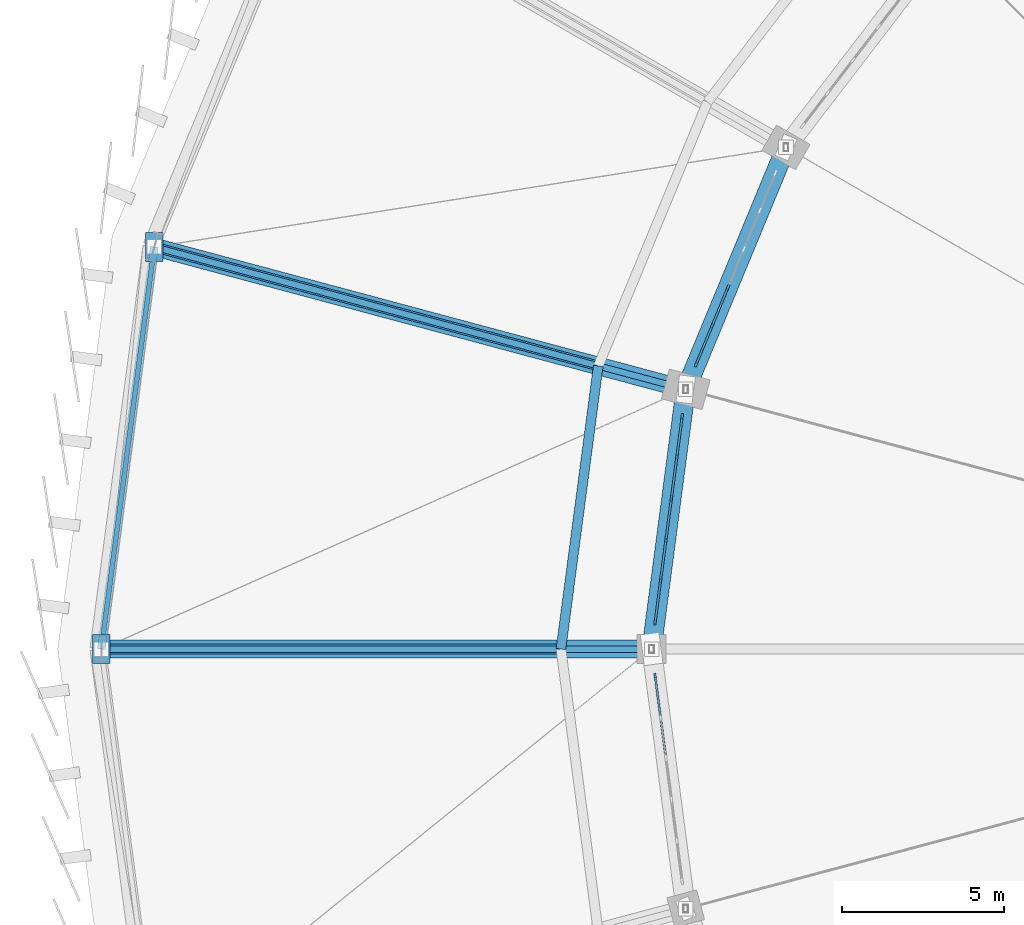
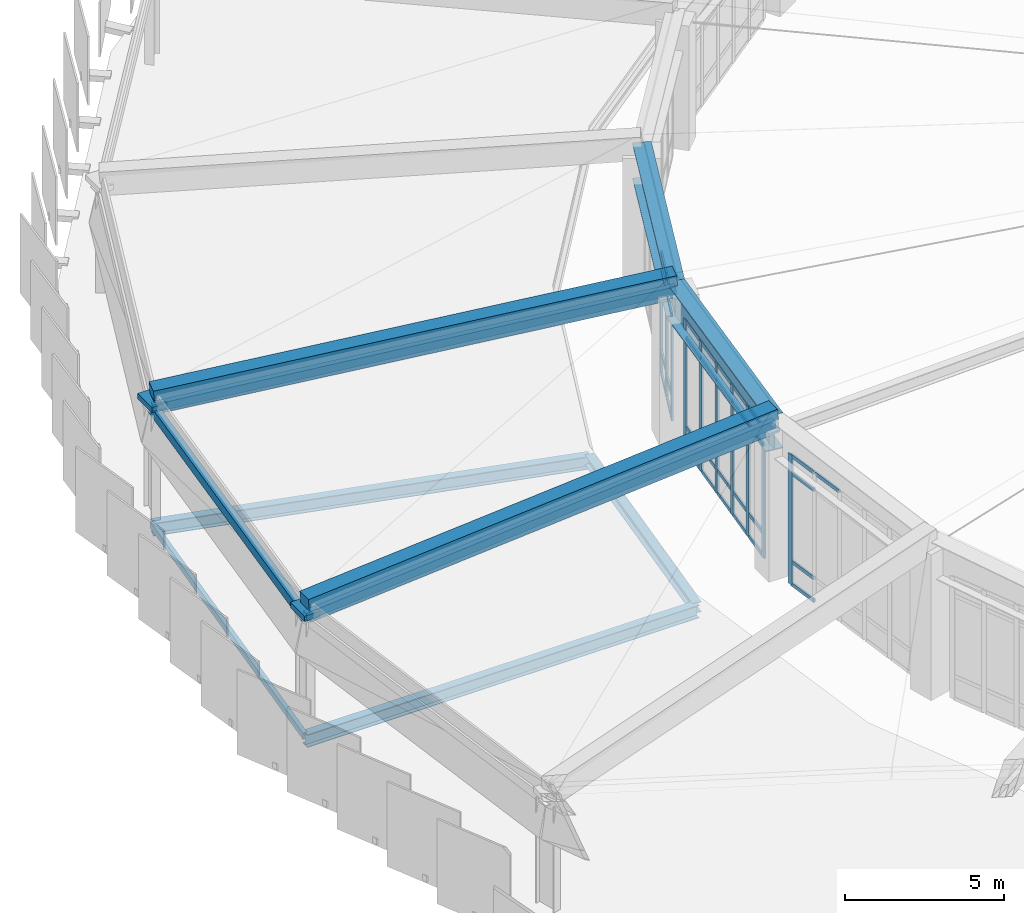
# One storey, part 14 of 68: 46 members, 10 beams, 3 elements without a shape of their own.
"""IFC4 building model written with IfcOpenShell, lengths in metres."""

from ifc_helpers import new_model, si_unit, direction, frame, origin, origin_2d, place, context, subcontext, project, spatial, rectangle, hollow_rectangle, i_section, extrude, material, layer, layer_set, material_profile, profile_set, type_object, element, aggregate, save


model = new_model("IFC4")

# Units and contexts
model_context = context("Model", 3, precision=1e-05, world=origin(), true_north=direction((0.0, 1.0)))
body_context = subcontext(model_context, "Body", "Model", "MODEL_VIEW")
ifc_project = project(units=[si_unit("LENGTHUNIT", "METRE"), si_unit("AREAUNIT", "SQUARE_METRE"), si_unit("VOLUMEUNIT", "CUBIC_METRE"), si_unit("PLANEANGLEUNIT", "RADIAN"), si_unit("MASSUNIT", "GRAM", prefix="KILO")], contexts=[model_context])

# Site, building, storey
site_placement = place(None, origin())
site = spatial("IfcSite", under=ifc_project, at=site_placement, CompositionType="ELEMENT")
building_placement = place(site_placement, origin())
building = spatial("IfcBuilding", under=site, at=building_placement, Name="Sohan Crest Arena", CompositionType="ELEMENT")
storey_placement = place(building_placement, frame((0.0, 0.0, 27.0)))
storey = spatial("IfcBuildingStorey", under=building, at=storey_placement, Name="RF", CompositionType="ELEMENT", Elevation=27.0)

# Curtain wall, members
ifc_material_1 = material(Name="Thermally broken anodised aluminium", Category="aluminium")
ifc_layer = layer(ifc_material_1, 0.18994140625, Name="Thermally broken anodised aluminium")
ifc_layer_set = layer_set([ifc_layer], Name="Thermally broken anodised aluminium")
curtain_wall_type = type_object("IfcCurtainWallType", Name="ARC-CW05", PredefinedType="NOTDEFINED", material=ifc_layer_set)
curtain_wall_1_placement = place(storey_placement, origin())
curtain_wall_1 = element("IfcCurtainWall", 1, at=curtain_wall_1_placement, inside=storey, type_object=curtain_wall_type, Name="Unitised curtain wall CW-173", PredefinedType="NOTDEFINED")
ifc_material_profile_1 = material_profile(ifc_material_1, rectangle(XDim=0.070068359375, YDim=0.199951171875, at=origin_2d()), Name="ALU-MULL 70x200")
ifc_profile_set_1 = profile_set([ifc_material_profile_1], Name="Thermally broken anodised aluminium")
member_type_1 = type_object("IfcMemberType", Name="ARC-CW-ML03", PredefinedType="MULLION", material=ifc_profile_set_1)
member_1_placement = place(storey_placement, frame((69.357666015625, 89.165283203125, 0.0), z_axis=(0.0, 0.0, 1.0), x_axis=(0.923886494023, -0.382666625357, 0.0)))
member_1 = element("IfcMember", 2, at=member_1_placement, type_object=member_type_1, Name="CW-173 mullion 4", PredefinedType="MULLION", context=body_context, shape_type="SweptSolid", body=[
    extrude(rectangle(XDim=0.070068359375, YDim=0.199951171875, at=origin_2d()), origin(), (0.0, 0.0, 1.0), 4.68603515625),
])
member_2_placement = place(storey_placement, frame((68.86376953125, 87.97314453125, 0.0), z_axis=(0.0, 0.0, 1.0), x_axis=(0.923886494023, -0.382666625357, 0.0)))
member_2 = element("IfcMember", 3, at=member_2_placement, type_object=member_type_1, Name="CW-173 mullion 5", PredefinedType="MULLION", context=body_context, shape_type="SweptSolid", body=[
    extrude(rectangle(XDim=0.070068359375, YDim=0.199951171875, at=origin_2d()), origin(), (0.0, 0.0, 1.0), 4.68603515625),
])
member_3_placement = place(storey_placement, frame((68.38330078125, 86.813232421875, 0.0), z_axis=(0.0, 0.0, 1.0), x_axis=(0.923886494023, -0.382666625357, 0.0)))
member_3 = element("IfcMember", 4, at=member_3_placement, type_object=member_type_1, Name="CW-173 mullion 6", PredefinedType="MULLION", context=body_context, shape_type="SweptSolid", body=[
    extrude(rectangle(XDim=0.070068359375, YDim=0.199951171875, at=origin_2d()), origin(), (0.0, 0.0, 1.0), 4.68603515625),
])

curtain_wall_2_placement = place(storey_placement, origin())
curtain_wall_2 = element("IfcCurtainWall", 5, at=curtain_wall_2_placement, inside=storey, type_object=curtain_wall_type, Name="Unitised curtain wall CW-175", PredefinedType="NOTDEFINED")
member_4_placement = place(storey_placement, frame((67.9443359375, 85.17529296875, 0.0), z_axis=(0.0, 0.0, 1.0), x_axis=(0.991448491802, -0.130498613419, 0.0)))
member_4 = element("IfcMember", 6, at=member_4_placement, type_object=member_type_1, Name="CW-175 mullion 1", PredefinedType="MULLION", context=body_context, shape_type="SweptSolid", body=[
    extrude(rectangle(XDim=0.070068359375, YDim=0.199951171875, at=origin_2d()), origin(), (0.0, 0.0, 1.0), 4.97998046875),
])
member_5_placement = place(storey_placement, frame((67.780517578125, 83.9306640625, 0.0), z_axis=(0.0, 0.0, 1.0), x_axis=(0.991448491802, -0.130498613419, 0.0)))
member_5 = element("IfcMember", 7, at=member_5_placement, type_object=member_type_1, Name="CW-175 mullion 2", PredefinedType="MULLION", context=body_context, shape_type="SweptSolid", body=[
    extrude(rectangle(XDim=0.070068359375, YDim=0.199951171875, at=origin_2d()), origin(), (0.0, 0.0, 1.0), 4.97998046875),
])
member_6_placement = place(storey_placement, frame((67.6123046875, 82.651123046875, 0.0), z_axis=(0.0, 0.0, 1.0), x_axis=(0.991448491802, -0.130498613419, 0.0)))
member_6 = element("IfcMember", 8, at=member_6_placement, type_object=member_type_1, Name="CW-175 mullion 3", PredefinedType="MULLION", context=body_context, shape_type="SweptSolid", body=[
    extrude(rectangle(XDim=0.070068359375, YDim=0.199951171875, at=origin_2d()), origin(), (0.0, 0.0, 1.0), 4.97998046875),
])
member_7_placement = place(storey_placement, frame((67.44384765625, 81.371826171875, 0.0), z_axis=(0.0, 0.0, 1.0), x_axis=(0.991448491802, -0.130498613419, 0.0)))
member_7 = element("IfcMember", 9, at=member_7_placement, type_object=member_type_1, Name="CW-175 mullion 4", PredefinedType="MULLION", context=body_context, shape_type="SweptSolid", body=[
    extrude(rectangle(XDim=0.070068359375, YDim=0.199951171875, at=origin_2d()), origin(), (0.0, 0.0, 1.0), 4.97998046875),
])
member_8_placement = place(storey_placement, frame((67.275390625, 80.09228515625, 0.0), z_axis=(0.0, 0.0, 1.0), x_axis=(0.991448491802, -0.130498613419, 0.0)))
member_8 = element("IfcMember", 10, at=member_8_placement, type_object=member_type_1, Name="CW-175 mullion 5", PredefinedType="MULLION", context=body_context, shape_type="SweptSolid", body=[
    extrude(rectangle(XDim=0.070068359375, YDim=0.199951171875, at=origin_2d()), origin(), (0.0, 0.0, 1.0), 4.97998046875),
])
member_9_placement = place(storey_placement, frame((67.111572265625, 78.84765625, 0.0), z_axis=(0.0, 0.0, 1.0), x_axis=(0.991448491802, -0.130498613419, 0.0)))
member_9 = element("IfcMember", 11, at=member_9_placement, type_object=member_type_1, Name="CW-175 mullion 6", PredefinedType="MULLION", context=body_context, shape_type="SweptSolid", body=[
    extrude(rectangle(XDim=0.070068359375, YDim=0.199951171875, at=origin_2d()), origin(), (0.0, 0.0, 1.0), 4.97998046875),
])

# Curtain wall, member
curtain_wall_3_placement = place(storey_placement, origin())
curtain_wall_3 = element("IfcCurtainWall", 12, at=curtain_wall_3_placement, inside=storey, type_object=curtain_wall_type, Name="Unitised curtain wall CW-177", PredefinedType="NOTDEFINED")
member_10_placement = place(storey_placement, frame((67.111572265625, 77.15234375, 0.0), z_axis=(0.0, 0.0, 1.0), x_axis=(0.991448491802, 0.130498613419, 0.0)))
member_10 = element("IfcMember", 13, at=member_10_placement, type_object=member_type_1, Name="CW-177 mullion 1", PredefinedType="MULLION", context=body_context, shape_type="SweptSolid", body=[
    extrude(rectangle(XDim=0.070068359375, YDim=0.199951171875, at=origin_2d()), origin(), (0.0, 0.0, 1.0), 4.97998046875),
])

# Member
ifc_material_profile_2 = material_profile(ifc_material_1, rectangle(XDim=0.06494140625, YDim=0.139892578125, at=origin_2d()), Name="ALU-TRAN 65x140")
ifc_profile_set_2 = profile_set([ifc_material_profile_2], Name="Thermally broken anodised aluminium")
member_type_2 = type_object("IfcMemberType", Name="ARC-CW-TR02", PredefinedType="USERDEFINED", material=ifc_profile_set_2)
member_11_placement = place(storey_placement, frame((69.34423828125, 89.133056640625, 0.032470703125), z_axis=(-0.382711055899, -0.923868089985, 0.0), x_axis=(0.923868089985, -0.382711055899, 0.0)))
member_11 = element("IfcMember", 14, at=member_11_placement, type_object=member_type_2, Name="CW-173 transom 4.1", ObjectType="TRANSOM", PredefinedType="USERDEFINED", context=body_context, shape_type="SweptSolid", body=[
    extrude(rectangle(XDim=0.06494140625, YDim=0.139892578125, at=origin_2d()), origin(), (0.0, 0.0, 1.0), 1.220458984375),
])

member_12_placement = place(storey_placement, frame((69.34423828125, 89.133056640625, 0.89990234375), z_axis=(-0.382711055899, -0.923868089985, 0.0), x_axis=(0.923868089985, -0.382711055899, 0.0)))
member_12 = element("IfcMember", 15, at=member_12_placement, type_object=member_type_2, Name="CW-173 transom 4.2", ObjectType="TRANSOM", PredefinedType="USERDEFINED", context=body_context, shape_type="SweptSolid", body=[
    extrude(rectangle(XDim=0.06494140625, YDim=0.139892578125, at=origin_2d()), origin(), (0.0, 0.0, 1.0), 1.220458984375),
])

member_13_placement = place(storey_placement, frame((69.34423828125, 89.133056640625, 3.986083984375), z_axis=(-0.382711055899, -0.923868089985, 0.0), x_axis=(0.923868089985, -0.382711055899, 0.0)))
member_13 = element("IfcMember", 16, at=member_13_placement, type_object=member_type_2, Name="CW-173 transom 4.3", ObjectType="TRANSOM", PredefinedType="USERDEFINED", context=body_context, shape_type="SweptSolid", body=[
    extrude(rectangle(XDim=0.06494140625, YDim=0.139892578125, at=origin_2d()), origin(), (0.0, 0.0, 1.0), 1.220458984375),
])

member_14_placement = place(storey_placement, frame((69.34423828125, 89.133056640625, 4.653564453125), z_axis=(-0.382711055899, -0.923868089985, 0.0), x_axis=(0.923868089985, -0.382711055899, 0.0)))
member_14 = element("IfcMember", 17, at=member_14_placement, type_object=member_type_2, Name="CW-173 transom 4.4", ObjectType="TRANSOM", PredefinedType="USERDEFINED", context=body_context, shape_type="SweptSolid", body=[
    extrude(rectangle(XDim=0.06494140625, YDim=0.139892578125, at=origin_2d()), origin(), (0.0, 0.0, 1.0), 1.220458984375),
])

member_15_placement = place(storey_placement, frame((68.850341796875, 87.94091796875, 0.032470703125), z_axis=(-0.382654947151, -0.923891330959, 0.0), x_axis=(0.923891330959, -0.382654947151, 0.0)))
member_15 = element("IfcMember", 18, at=member_15_placement, type_object=member_type_2, Name="CW-173 transom 5.1", ObjectType="TRANSOM", PredefinedType="USERDEFINED", context=body_context, shape_type="SweptSolid", body=[
    extrude(rectangle(XDim=0.06494140625, YDim=0.139892578125, at=origin_2d()), origin(), (0.0, 0.0, 1.0), 1.185546875),
])

member_16_placement = place(storey_placement, frame((68.850341796875, 87.94091796875, 0.89990234375), z_axis=(-0.382654947151, -0.923891330959, 0.0), x_axis=(0.923891330959, -0.382654947151, 0.0)))
member_16 = element("IfcMember", 19, at=member_16_placement, type_object=member_type_2, Name="CW-173 transom 5.2", ObjectType="TRANSOM", PredefinedType="USERDEFINED", context=body_context, shape_type="SweptSolid", body=[
    extrude(rectangle(XDim=0.06494140625, YDim=0.139892578125, at=origin_2d()), origin(), (0.0, 0.0, 1.0), 1.185546875),
])

member_17_placement = place(storey_placement, frame((68.850341796875, 87.94091796875, 3.986083984375), z_axis=(-0.382654947151, -0.923891330959, 0.0), x_axis=(0.923891330959, -0.382654947151, 0.0)))
member_17 = element("IfcMember", 20, at=member_17_placement, type_object=member_type_2, Name="CW-173 transom 5.3", ObjectType="TRANSOM", PredefinedType="USERDEFINED", context=body_context, shape_type="SweptSolid", body=[
    extrude(rectangle(XDim=0.06494140625, YDim=0.139892578125, at=origin_2d()), origin(), (0.0, 0.0, 1.0), 1.185546875),
])

member_18_placement = place(storey_placement, frame((68.850341796875, 87.94091796875, 4.653564453125), z_axis=(-0.382654947151, -0.923891330959, 0.0), x_axis=(0.923891330959, -0.382654947151, 0.0)))
member_18 = element("IfcMember", 21, at=member_18_placement, type_object=member_type_2, Name="CW-173 transom 5.4", ObjectType="TRANSOM", PredefinedType="USERDEFINED", context=body_context, shape_type="SweptSolid", body=[
    extrude(rectangle(XDim=0.06494140625, YDim=0.139892578125, at=origin_2d()), origin(), (0.0, 0.0, 1.0), 1.185546875),
])

aggregate(curtain_wall_1, [member_1, member_2, member_3, member_11, member_12, member_13, member_14, member_15, member_16, member_17, member_18])

member_19_placement = place(storey_placement, frame((67.93994140625, 85.140625, 0.032470703125), z_axis=(-0.130571716173, -0.991438866968, 0.0), x_axis=(0.991438866968, -0.130571716173, 0.0)))
member_19 = element("IfcMember", 22, at=member_19_placement, type_object=member_type_2, Name="CW-175 transom 1.1", ObjectType="TRANSOM", PredefinedType="USERDEFINED", context=body_context, shape_type="SweptSolid", body=[
    extrude(rectangle(XDim=0.06494140625, YDim=0.139892578125, at=origin_2d()), origin(), (0.0, 0.0, 1.0), 1.185546875),
])

member_20_placement = place(storey_placement, frame((67.93994140625, 85.140625, 0.89990234375), z_axis=(-0.130571716173, -0.991438866968, 0.0), x_axis=(0.991438866968, -0.130571716173, 0.0)))
member_20 = element("IfcMember", 23, at=member_20_placement, type_object=member_type_2, Name="CW-175 transom 1.2", ObjectType="TRANSOM", PredefinedType="USERDEFINED", context=body_context, shape_type="SweptSolid", body=[
    extrude(rectangle(XDim=0.06494140625, YDim=0.139892578125, at=origin_2d()), origin(), (0.0, 0.0, 1.0), 1.185546875),
])

member_21_placement = place(storey_placement, frame((67.93994140625, 85.140625, 4.280029296875), z_axis=(-0.130571716173, -0.991438866968, 0.0), x_axis=(0.991438866968, -0.130571716173, 0.0)))
member_21 = element("IfcMember", 24, at=member_21_placement, type_object=member_type_2, Name="CW-175 transom 1.3", ObjectType="TRANSOM", PredefinedType="USERDEFINED", context=body_context, shape_type="SweptSolid", body=[
    extrude(rectangle(XDim=0.06494140625, YDim=0.139892578125, at=origin_2d()), origin(), (0.0, 0.0, 1.0), 1.185546875),
])

member_22_placement = place(storey_placement, frame((67.93994140625, 85.140625, 4.947509765625), z_axis=(-0.130571716173, -0.991438866968, 0.0), x_axis=(0.991438866968, -0.130571716173, 0.0)))
member_22 = element("IfcMember", 25, at=member_22_placement, type_object=member_type_2, Name="CW-175 transom 1.4", ObjectType="TRANSOM", PredefinedType="USERDEFINED", context=body_context, shape_type="SweptSolid", body=[
    extrude(rectangle(XDim=0.06494140625, YDim=0.139892578125, at=origin_2d()), origin(), (0.0, 0.0, 1.0), 1.185546875),
])

member_23_placement = place(storey_placement, frame((67.776123046875, 83.89599609375, 0.032470703125), z_axis=(-0.130604550342, -0.991434542181, 0.0), x_axis=(0.991434542181, -0.130604550342, 0.0)))
member_23 = element("IfcMember", 26, at=member_23_placement, type_object=member_type_2, Name="CW-175 transom 2.1", ObjectType="TRANSOM", PredefinedType="USERDEFINED", context=body_context, shape_type="SweptSolid", body=[
    extrude(rectangle(XDim=0.06494140625, YDim=0.139892578125, at=origin_2d()), origin(), (0.0, 0.0, 1.0), 1.220703125),
])

member_24_placement = place(storey_placement, frame((67.776123046875, 83.89599609375, 0.89990234375), z_axis=(-0.130604550342, -0.991434542181, 0.0), x_axis=(0.991434542181, -0.130604550342, 0.0)))
member_24 = element("IfcMember", 27, at=member_24_placement, type_object=member_type_2, Name="CW-175 transom 2.2", ObjectType="TRANSOM", PredefinedType="USERDEFINED", context=body_context, shape_type="SweptSolid", body=[
    extrude(rectangle(XDim=0.06494140625, YDim=0.139892578125, at=origin_2d()), origin(), (0.0, 0.0, 1.0), 1.220703125),
])

member_25_placement = place(storey_placement, frame((67.776123046875, 83.89599609375, 4.280029296875), z_axis=(-0.130604550342, -0.991434542181, 0.0), x_axis=(0.991434542181, -0.130604550342, 0.0)))
member_25 = element("IfcMember", 28, at=member_25_placement, type_object=member_type_2, Name="CW-175 transom 2.3", ObjectType="TRANSOM", PredefinedType="USERDEFINED", context=body_context, shape_type="SweptSolid", body=[
    extrude(rectangle(XDim=0.06494140625, YDim=0.139892578125, at=origin_2d()), origin(), (0.0, 0.0, 1.0), 1.220703125),
])

member_26_placement = place(storey_placement, frame((67.776123046875, 83.89599609375, 4.947509765625), z_axis=(-0.130604550342, -0.991434542181, 0.0), x_axis=(0.991434542181, -0.130604550342, 0.0)))
member_26 = element("IfcMember", 29, at=member_26_placement, type_object=member_type_2, Name="CW-175 transom 2.4", ObjectType="TRANSOM", PredefinedType="USERDEFINED", context=body_context, shape_type="SweptSolid", body=[
    extrude(rectangle(XDim=0.06494140625, YDim=0.139892578125, at=origin_2d()), origin(), (0.0, 0.0, 1.0), 1.220703125),
])

member_27_placement = place(storey_placement, frame((67.607666015625, 82.616455078125, 0.032470703125), z_axis=(-0.130433812827, -0.991457018973, 0.0), x_axis=(0.991457018973, -0.130433812827, 0.0)))
member_27 = element("IfcMember", 30, at=member_27_placement, type_object=member_type_2, Name="CW-175 transom 3.1", ObjectType="TRANSOM", PredefinedType="USERDEFINED", context=body_context, shape_type="SweptSolid", body=[
    extrude(rectangle(XDim=0.06494140625, YDim=0.139892578125, at=origin_2d()), origin(), (0.0, 0.0, 1.0), 1.220458984375),
])

member_28_placement = place(storey_placement, frame((67.607666015625, 82.616455078125, 0.89990234375), z_axis=(-0.130433812827, -0.991457018973, 0.0), x_axis=(0.991457018973, -0.130433812827, 0.0)))
member_28 = element("IfcMember", 31, at=member_28_placement, type_object=member_type_2, Name="CW-175 transom 3.2", ObjectType="TRANSOM", PredefinedType="USERDEFINED", context=body_context, shape_type="SweptSolid", body=[
    extrude(rectangle(XDim=0.06494140625, YDim=0.139892578125, at=origin_2d()), origin(), (0.0, 0.0, 1.0), 1.220458984375),
])

member_29_placement = place(storey_placement, frame((67.607666015625, 82.616455078125, 4.280029296875), z_axis=(-0.130433812827, -0.991457018973, 0.0), x_axis=(0.991457018973, -0.130433812827, 0.0)))
member_29 = element("IfcMember", 32, at=member_29_placement, type_object=member_type_2, Name="CW-175 transom 3.3", ObjectType="TRANSOM", PredefinedType="USERDEFINED", context=body_context, shape_type="SweptSolid", body=[
    extrude(rectangle(XDim=0.06494140625, YDim=0.139892578125, at=origin_2d()), origin(), (0.0, 0.0, 1.0), 1.220458984375),
])

member_30_placement = place(storey_placement, frame((67.607666015625, 82.616455078125, 4.947509765625), z_axis=(-0.130433812827, -0.991457018973, 0.0), x_axis=(0.991457018973, -0.130433812827, 0.0)))
member_30 = element("IfcMember", 33, at=member_30_placement, type_object=member_type_2, Name="CW-175 transom 3.4", ObjectType="TRANSOM", PredefinedType="USERDEFINED", context=body_context, shape_type="SweptSolid", body=[
    extrude(rectangle(XDim=0.06494140625, YDim=0.139892578125, at=origin_2d()), origin(), (0.0, 0.0, 1.0), 1.220458984375),
])

member_31_placement = place(storey_placement, frame((67.439208984375, 81.337158203125, 0.032470703125), z_axis=(-0.130433812827, -0.991457018973, 0.0), x_axis=(0.991457018973, -0.130433812827, 0.0)))
member_31 = element("IfcMember", 34, at=member_31_placement, type_object=member_type_2, Name="CW-175 transom 4.1", ObjectType="TRANSOM", PredefinedType="USERDEFINED", context=body_context, shape_type="SweptSolid", body=[
    extrude(rectangle(XDim=0.06494140625, YDim=0.139892578125, at=origin_2d()), origin(), (0.0, 0.0, 1.0), 1.220458984375),
])

member_32_placement = place(storey_placement, frame((67.439208984375, 81.337158203125, 0.89990234375), z_axis=(-0.130433812827, -0.991457018973, 0.0), x_axis=(0.991457018973, -0.130433812827, 0.0)))
member_32 = element("IfcMember", 35, at=member_32_placement, type_object=member_type_2, Name="CW-175 transom 4.2", ObjectType="TRANSOM", PredefinedType="USERDEFINED", context=body_context, shape_type="SweptSolid", body=[
    extrude(rectangle(XDim=0.06494140625, YDim=0.139892578125, at=origin_2d()), origin(), (0.0, 0.0, 1.0), 1.220458984375),
])

member_33_placement = place(storey_placement, frame((67.439208984375, 81.337158203125, 4.280029296875), z_axis=(-0.130433812827, -0.991457018973, 0.0), x_axis=(0.991457018973, -0.130433812827, 0.0)))
member_33 = element("IfcMember", 36, at=member_33_placement, type_object=member_type_2, Name="CW-175 transom 4.3", ObjectType="TRANSOM", PredefinedType="USERDEFINED", context=body_context, shape_type="SweptSolid", body=[
    extrude(rectangle(XDim=0.06494140625, YDim=0.139892578125, at=origin_2d()), origin(), (0.0, 0.0, 1.0), 1.220458984375),
])

member_34_placement = place(storey_placement, frame((67.439208984375, 81.337158203125, 4.947509765625), z_axis=(-0.130433812827, -0.991457018973, 0.0), x_axis=(0.991457018973, -0.130433812827, 0.0)))
member_34 = element("IfcMember", 37, at=member_34_placement, type_object=member_type_2, Name="CW-175 transom 4.4", ObjectType="TRANSOM", PredefinedType="USERDEFINED", context=body_context, shape_type="SweptSolid", body=[
    extrude(rectangle(XDim=0.06494140625, YDim=0.139892578125, at=origin_2d()), origin(), (0.0, 0.0, 1.0), 1.220458984375),
])

member_35_placement = place(storey_placement, frame((67.270751953125, 80.0576171875, 0.032470703125), z_axis=(-0.130369270153, -0.991465507922, 0.0), x_axis=(0.991465507922, -0.130369270153, 0.0)))
member_35 = element("IfcMember", 38, at=member_35_placement, type_object=member_type_2, Name="CW-175 transom 5.1", ObjectType="TRANSOM", PredefinedType="USERDEFINED", context=body_context, shape_type="SweptSolid", body=[
    extrude(rectangle(XDim=0.06494140625, YDim=0.139892578125, at=origin_2d()), origin(), (0.0, 0.0, 1.0), 1.185302734375),
])

member_36_placement = place(storey_placement, frame((67.270751953125, 80.0576171875, 0.89990234375), z_axis=(-0.130369270153, -0.991465507922, 0.0), x_axis=(0.991465507922, -0.130369270153, 0.0)))
member_36 = element("IfcMember", 39, at=member_36_placement, type_object=member_type_2, Name="CW-175 transom 5.2", ObjectType="TRANSOM", PredefinedType="USERDEFINED", context=body_context, shape_type="SweptSolid", body=[
    extrude(rectangle(XDim=0.06494140625, YDim=0.139892578125, at=origin_2d()), origin(), (0.0, 0.0, 1.0), 1.185302734375),
])

member_37_placement = place(storey_placement, frame((67.270751953125, 80.0576171875, 4.280029296875), z_axis=(-0.130369270153, -0.991465507922, 0.0), x_axis=(0.991465507922, -0.130369270153, 0.0)))
member_37 = element("IfcMember", 40, at=member_37_placement, type_object=member_type_2, Name="CW-175 transom 5.3", ObjectType="TRANSOM", PredefinedType="USERDEFINED", context=body_context, shape_type="SweptSolid", body=[
    extrude(rectangle(XDim=0.06494140625, YDim=0.139892578125, at=origin_2d()), origin(), (0.0, 0.0, 1.0), 1.185302734375),
])

member_38_placement = place(storey_placement, frame((67.270751953125, 80.0576171875, 4.947509765625), z_axis=(-0.130369270153, -0.991465507922, 0.0), x_axis=(0.991465507922, -0.130369270153, 0.0)))
member_38 = element("IfcMember", 41, at=member_38_placement, type_object=member_type_2, Name="CW-175 transom 5.4", ObjectType="TRANSOM", PredefinedType="USERDEFINED", context=body_context, shape_type="SweptSolid", body=[
    extrude(rectangle(XDim=0.06494140625, YDim=0.139892578125, at=origin_2d()), origin(), (0.0, 0.0, 1.0), 1.185302734375),
])

aggregate(curtain_wall_2, [member_4, member_5, member_6, member_7, member_8, member_9, member_19, member_20, member_21, member_22, member_23, member_24, member_25, member_26, member_27, member_28, member_29, member_30, member_31, member_32, member_33, member_34, member_35, member_36, member_37, member_38])

member_39_placement = place(storey_placement, frame((67.1162109375, 77.11767578125, 0.032470703125), z_axis=(0.130369270153, -0.991465507922, 0.0), x_axis=(0.991465507922, 0.130369270153, 0.0)))
member_39 = element("IfcMember", 42, at=member_39_placement, type_object=member_type_2, Name="CW-177 transom 1.1", ObjectType="TRANSOM", PredefinedType="USERDEFINED", context=body_context, shape_type="SweptSolid", body=[
    extrude(rectangle(XDim=0.06494140625, YDim=0.139892578125, at=origin_2d()), origin(), (0.0, 0.0, 1.0), 1.185302734375),
])

member_40_placement = place(storey_placement, frame((67.1162109375, 77.11767578125, 0.89990234375), z_axis=(0.130369270153, -0.991465507922, 0.0), x_axis=(0.991465507922, 0.130369270153, 0.0)))
member_40 = element("IfcMember", 43, at=member_40_placement, type_object=member_type_2, Name="CW-177 transom 1.2", ObjectType="TRANSOM", PredefinedType="USERDEFINED", context=body_context, shape_type="SweptSolid", body=[
    extrude(rectangle(XDim=0.06494140625, YDim=0.139892578125, at=origin_2d()), origin(), (0.0, 0.0, 1.0), 1.185302734375),
])

member_41_placement = place(storey_placement, frame((67.1162109375, 77.11767578125, 4.280029296875), z_axis=(0.130369270153, -0.991465507922, 0.0), x_axis=(0.991465507922, 0.130369270153, 0.0)))
member_41 = element("IfcMember", 44, at=member_41_placement, type_object=member_type_2, Name="CW-177 transom 1.3", ObjectType="TRANSOM", PredefinedType="USERDEFINED", context=body_context, shape_type="SweptSolid", body=[
    extrude(rectangle(XDim=0.06494140625, YDim=0.139892578125, at=origin_2d()), origin(), (0.0, 0.0, 1.0), 1.185302734375),
])

member_42_placement = place(storey_placement, frame((67.1162109375, 77.11767578125, 4.947509765625), z_axis=(0.130369270153, -0.991465507922, 0.0), x_axis=(0.991465507922, 0.130369270153, 0.0)))
member_42 = element("IfcMember", 45, at=member_42_placement, type_object=member_type_2, Name="CW-177 transom 1.4", ObjectType="TRANSOM", PredefinedType="USERDEFINED", context=body_context, shape_type="SweptSolid", body=[
    extrude(rectangle(XDim=0.06494140625, YDim=0.139892578125, at=origin_2d()), origin(), (0.0, 0.0, 1.0), 1.185302734375),
])

member_43_placement = place(storey_placement, frame((67.280029296875, 75.872802734375, 4.947509765625), z_axis=(0.130433812827, -0.991457018973, 0.0), x_axis=(0.991457018973, 0.130433812827, 0.0)))
member_43 = element("IfcMember", 46, at=member_43_placement, type_object=member_type_2, Name="CW-177 transom 2.4", ObjectType="TRANSOM", PredefinedType="USERDEFINED", context=body_context, shape_type="SweptSolid", body=[
    extrude(rectangle(XDim=0.06494140625, YDim=0.139892578125, at=origin_2d()), origin(), (0.0, 0.0, 1.0), 1.220458984375),
])

aggregate(curtain_wall_3, [member_10, member_39, member_40, member_41, member_42, member_43])

# Beams
ifc_material_2 = material(Name="Steel S355", Category="steel")
ifc_material_profile_3 = material_profile(ifc_material_2, i_section(OverallWidth=0.300048828125, OverallDepth=0.389892578125, WebThickness=0.010986328125, FlangeThickness=0.01904296875, at=origin_2d()), Name="HEA 400")
ifc_profile_set_3 = profile_set([ifc_material_profile_3], Name="Steel S355")
beam_type_1 = type_object("IfcBeamType", Name="STR-BM-B09", PredefinedType="BEAM", material=ifc_profile_set_3)
beam_1_placement = place(storey_placement, frame((65.35205078125, 86.748046875, -0.4150390625), z_axis=(-0.130570461953, -0.991439032147, 0.0), x_axis=(0.991439032147, -0.130570461953, 0.0)))
element("IfcBeam", 47, at=beam_1_placement, inside=storey, type_object=beam_type_1, Name="Structural beam RG-RF-1882", PredefinedType="BEAM", context=body_context, shape_type="SweptSolid", body=[
    extrude(i_section(OverallWidth=0.300048828125, OverallDepth=0.389892578125, WebThickness=0.010986328125, FlangeThickness=0.01904296875, at=origin_2d()), origin(), (0.0, 0.0, 1.0), 8.823486328125),
])
ifc_material_profile_4 = material_profile(ifc_material_2, i_section(OverallWidth=0.300048828125, OverallDepth=0.489990234375, WebThickness=0.011962890625, FlangeThickness=0.02294921875, at=origin_2d()), Name="HEA 500")
ifc_profile_set_4 = profile_set([ifc_material_profile_4], Name="Steel S355")
beam_type_2 = type_object("IfcBeamType", Name="STR-BM-B10", PredefinedType="BEAM", material=ifc_profile_set_4)
for number, where, z_axis, x_axis, name in (
    (48, (65.35205078125, 86.748046875, -0.465087890625), (-0.965928635508, 0.258808560729, 0.0), (-0.258808560729, -0.965928635508, 0.0), "Structural beam RG-RF-1880"),
    (49, (64.199951171875, 78.0, -0.465087890625), (-1.0, 0.0, 0.0), (0.0, -1.0, 0.0), "Structural beam RG-RF-1883"),
):
    element("IfcBeam", number, at=place(storey_placement, frame(where, z_axis=z_axis, x_axis=x_axis)), inside=storey, type_object=beam_type_2, Name=name, PredefinedType="BEAM", context=body_context, shape_type="SweptSolid", body=[
        extrude(i_section(OverallWidth=0.300048828125, OverallDepth=0.489990234375, WebThickness=0.011962890625, FlangeThickness=0.02294921875, at=origin_2d()), origin(), (0.0, 0.0, 1.0), 14.199951171875),
    ])
ifc_material_profile_5 = material_profile(ifc_material_2, i_section(OverallWidth=0.60009765625, OverallDepth=1.35009765625, WebThickness=0.02392578125, FlangeThickness=0.035888671875, at=origin_2d()), Name="PG 1350x600x24x36")
ifc_profile_set_5 = profile_set([ifc_material_profile_5], Name="Steel S355")
beam_type_3 = type_object("IfcBeamType", Name="STR-BM-RB02", PredefinedType="USERDEFINED", material=ifc_profile_set_5)
beam_2_placement = place(storey_placement, frame((71.153076171875, 93.5, 4.904052734375), z_axis=(-0.382401603878, -0.92317763837, 0.038885233249), x_axis=(0.923876381497, -0.382691039498, 0.0)))
element("IfcBeam", 50, at=beam_2_placement, inside=storey, type_object=beam_type_3, Name="Rising compression ring beam segment RB-05", ObjectType="RING BEAM", PredefinedType="USERDEFINED", context=body_context, shape_type="SweptSolid", body=[
    extrude(i_section(OverallWidth=0.60009765625, OverallDepth=1.35009765625, WebThickness=0.02392578125, FlangeThickness=0.035888671875, at=origin_2d()), origin(), (0.0, 0.0, 1.0), 8.099365234375),
])
beam_3_placement = place(storey_placement, frame((68.055908203125, 86.02294921875, 5.218994140625), z_axis=(-0.130474129635, -0.991362045796, 0.013334003537), x_axis=(0.99145018748, -0.130485730048, 0.0)))
element("IfcBeam", 51, at=beam_3_placement, inside=storey, type_object=beam_type_3, Name="Rising compression ring beam segment RB-06", ObjectType="RING BEAM", PredefinedType="USERDEFINED", context=body_context, shape_type="SweptSolid", body=[
    extrude(i_section(OverallWidth=0.60009765625, OverallDepth=1.35009765625, WebThickness=0.02392578125, FlangeThickness=0.035888671875, at=origin_2d()), origin(), (0.0, 0.0, 1.0), 8.0927734375),
])
ifc_material_3 = material(Name="Precast concrete C50/60", Category="concrete")
ifc_material_profile_6 = material_profile(ifc_material_3, rectangle(XDim=0.550048828125, YDim=0.89990234375, at=origin_2d()), Name="RAKER 550x900")
ifc_profile_set_6 = profile_set([ifc_material_profile_6], Name="Precast concrete C50/60")
beam_type_4 = type_object("IfcBeamType", Name="STR-BM-RK01", PredefinedType="USERDEFINED", material=ifc_profile_set_6)
beam_4_placement = place(storey_placement, frame((68.055908203125, 86.02294921875, 5.839111328125), z_axis=(-0.962887309875, 0.258030777713, -0.079171625187), x_axis=(-0.258843286733, -0.965919330438, 0.0)))
element("IfcBeam", 52, at=beam_4_placement, inside=storey, type_object=beam_type_4, Name="Perimeter radial apron raker RKB-06", ObjectType="RAKER", PredefinedType="USERDEFINED", context=body_context, shape_type="SweptSolid", body=[
    extrude(rectangle(XDim=0.550048828125, YDim=0.89990234375, at=origin_2d()), origin(), (0.0, 0.0, 1.0), 17.052734375),
])
beam_5_placement = place(storey_placement, frame((51.635986328125, 90.423095703125, 4.489013671875), z_axis=(0.0, 0.0, -1.0), x_axis=(1.0, 0.0, 0.0)))
element("IfcBeam", 53, at=beam_5_placement, inside=storey, type_object=beam_type_4, Name="Perimeter cantilever nose bracket RKC-06", ObjectType="RAKER", PredefinedType="USERDEFINED", context=body_context, shape_type="SweptSolid", body=[
    extrude(rectangle(XDim=0.550048828125, YDim=0.89990234375, at=origin_2d()), origin(), (0.0, 0.0, 1.0), 0.199951171875),
])
beam_6_placement = place(storey_placement, frame((67.0, 78.0, 5.947021484375), z_axis=(-0.996861269151, 0.0, -0.079168239005), x_axis=(0.0, -1.0, 0.0)))
element("IfcBeam", 54, at=beam_6_placement, inside=storey, type_object=beam_type_4, Name="Perimeter radial apron raker RKB-07", ObjectType="RAKER", PredefinedType="USERDEFINED", context=body_context, shape_type="SweptSolid", body=[
    extrude(rectangle(XDim=0.550048828125, YDim=0.89990234375, at=origin_2d()), origin(), (0.0, 0.0, 1.0), 17.053466796875),
])
beam_7_placement = place(storey_placement, frame((50.0, 78.0, 4.596923828125), z_axis=(0.0, 0.0, -1.0), x_axis=(1.0, 0.0, 0.0)))
element("IfcBeam", 55, at=beam_7_placement, inside=storey, type_object=beam_type_4, Name="Perimeter cantilever nose bracket RKC-07", ObjectType="RAKER", PredefinedType="USERDEFINED", context=body_context, shape_type="SweptSolid", body=[
    extrude(rectangle(XDim=0.550048828125, YDim=0.89990234375, at=origin_2d()), origin(), (0.0, 0.0, 1.0), 0.199951171875),
])
ifc_material_profile_7 = material_profile(ifc_material_2, hollow_rectangle(XDim=0.14990234375, YDim=0.25, WallThickness=0.010009765625, at=origin_2d()), Name="RHS 250x150x10")
ifc_profile_set_7 = profile_set([ifc_material_profile_7], Name="Steel S355")
beam_type_5 = type_object("IfcBeamType", Name="STR-BM-SP02", PredefinedType="SPANDREL", material=ifc_profile_set_7)
beam_8_placement = place(storey_placement, frame((51.635986328125, 90.423095703125, -0.344970703125), z_axis=(-0.130561865783, -0.991440164207, 0.0), x_axis=(0.991440164207, -0.130561865783, 0.0)))
element("IfcBeam", 56, at=beam_8_placement, inside=storey, type_object=beam_type_5, Name="Structural beam SP-RF-1881", PredefinedType="SPANDREL", context=body_context, shape_type="SweptSolid", body=[
    extrude(hollow_rectangle(XDim=0.14990234375, YDim=0.25, WallThickness=0.010009765625, at=origin_2d()), origin(), (0.0, 0.0, 1.0), 12.5302734375),
])

# Members
ifc_material_profile_8 = material_profile(ifc_material_2, hollow_rectangle(XDim=0.199951171875, YDim=0.300048828125, WallThickness=0.010009765625, at=origin_2d()), Name="RHS 300x200x10")
ifc_profile_set_8 = profile_set([ifc_material_profile_8], Name="Steel S355")
member_type_3 = type_object("IfcMemberType", Name="STR-MEM-CH03", PredefinedType="CHORD", material=ifc_profile_set_8)
member_44_placement = place(storey_placement, frame((68.055908203125, 86.02294921875, 5.589111328125), z_axis=(-0.96242357712, 0.257906508422, -0.085000535983), x_axis=(-0.258843286733, -0.965919330438, 0.0)))
element("IfcMember", 57, at=member_44_placement, inside=storey, type_object=member_type_3, Name="Outer roof-edge radial tie chord ORT-06", PredefinedType="CHORD", context=body_context, shape_type="SweptSolid", body=[
    extrude(hollow_rectangle(XDim=0.199951171875, YDim=0.300048828125, WallThickness=0.010009765625, at=origin_2d()), origin(), (0.0, 0.0, 1.0), 17.06103515625),
])
member_45_placement = place(storey_placement, frame((67.0, 78.0, 5.697021484375), z_axis=(-0.996382427094, 0.0, -0.084982698106), x_axis=(0.0, -1.0, 0.0)))
element("IfcMember", 58, at=member_45_placement, inside=storey, type_object=member_type_3, Name="Outer roof-edge radial tie chord ORT-07", PredefinedType="CHORD", context=body_context, shape_type="SweptSolid", body=[
    extrude(hollow_rectangle(XDim=0.199951171875, YDim=0.300048828125, WallThickness=0.010009765625, at=origin_2d()), origin(), (0.0, 0.0, 1.0), 17.061767578125),
])
ifc_material_profile_9 = material_profile(ifc_material_2, hollow_rectangle(XDim=0.25, YDim=0.35009765625, WallThickness=0.012451171875, at=origin_2d()), Name="RHS 350x250x12.5")
ifc_profile_set_9 = profile_set([ifc_material_profile_9], Name="Steel S355")
member_type_4 = type_object("IfcMemberType", Name="STR-MEM-CH04", PredefinedType="CHORD", material=ifc_profile_set_9)
member_46_placement = place(storey_placement, frame((51.635986328125, 90.423095703125, 4.138916015625), z_axis=(-0.130557002573, -0.99140323473, 0.008631062847), x_axis=(0.991440164207, -0.130561865783, 0.0)))
element("IfcMember", 59, at=member_46_placement, inside=storey, type_object=member_type_4, Name="Outer roof-edge truss chord ORB-06", PredefinedType="CHORD", context=body_context, shape_type="SweptSolid", body=[
    extrude(hollow_rectangle(XDim=0.25, YDim=0.35009765625, WallThickness=0.012451171875, at=origin_2d()), origin(), (0.0, 0.0, 1.0), 12.53076171875),
])

save(model, "model.ifc")
